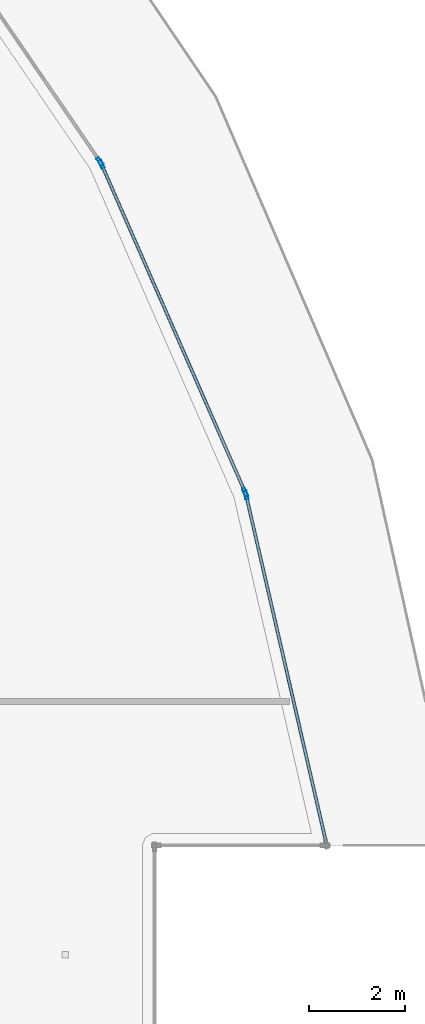
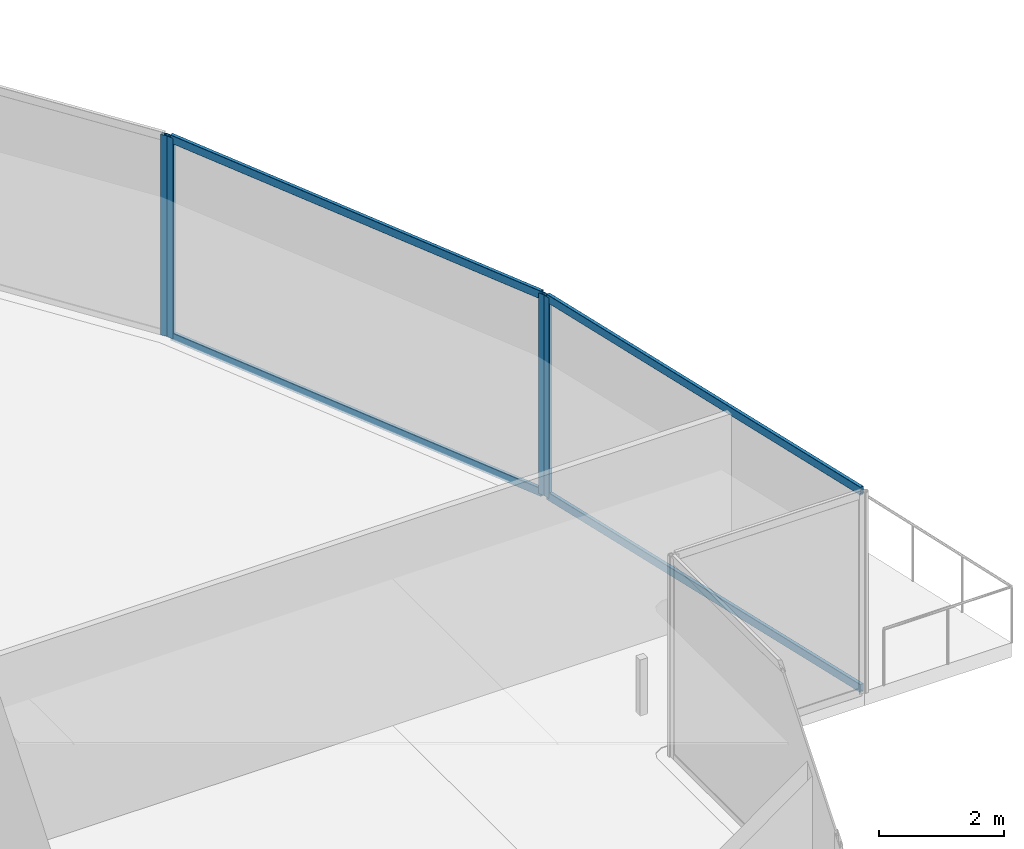
# One storey, part 25 of 45: 8 members, 3 elements without a shape of their own.
"""IFC4 building model written with IfcOpenShell, lengths in metres."""

from ifc_helpers import new_model, si_unit, direction, frame, origin, origin_2d, place, context, subcontext, project, spatial, hollow_rectangle, extrude, material, layer, layer_set, material_profile, profile_set, type_object, element, aggregate, save


model = new_model("IFC4")

# Units and contexts
model_context = context("Model", 3, precision=1e-05, world=origin(), true_north=direction((0.0, 1.0)))
body_context = subcontext(model_context, "Body", "Model", "MODEL_VIEW")
ifc_project = project(units=[si_unit("LENGTHUNIT", "METRE"), si_unit("AREAUNIT", "SQUARE_METRE"), si_unit("VOLUMEUNIT", "CUBIC_METRE"), si_unit("PLANEANGLEUNIT", "RADIAN"), si_unit("MASSUNIT", "GRAM", prefix="KILO")], contexts=[model_context])

# Site, building, storey
site_placement = place(None, origin())
site = spatial("IfcSite", under=ifc_project, at=site_placement, CompositionType="ELEMENT")
building_placement = place(site_placement, origin())
building = spatial("IfcBuilding", under=site, at=building_placement, Name="Qorvath Tower", CompositionType="ELEMENT")
storey_placement = place(building_placement, frame((0.0, 0.0, 49.199951171875)))
storey = spatial("IfcBuildingStorey", under=building, at=storey_placement, Name="L10", CompositionType="ELEMENT", Elevation=49.199951171875)

# Curtain wall, member
ifc_material_1 = material(Name="Anodised aluminium and triple low-E glass", Category="aluminium")
ifc_layer = layer(ifc_material_1, 0.179931640625)
ifc_layer_set = layer_set([ifc_layer], Name="CW-SYS-2")
curtain_wall_type = type_object("IfcCurtainWallType", Name="CW-SYS-2", PredefinedType="NOTDEFINED", material=ifc_layer_set)
curtain_wall_1_placement = place(storey_placement, origin())
curtain_wall_1 = element("IfcCurtainWall", 1, at=curtain_wall_1_placement, inside=storey, type_object=curtain_wall_type, Name="Curtain Wall CW-2 CW-T-L10-11.1", PredefinedType="NOTDEFINED")
ifc_material_2 = material(Name="Anodised aluminium 6063-T6", Category="aluminium")
ifc_material_profile_1 = material_profile(ifc_material_2, hollow_rectangle(XDim=0.06494140625, YDim=0.179931640625, WallThickness=0.00341796875, InnerFilletRadius=0.00341796875, OuterFilletRadius=0.007080078125, at=origin_2d()), Name="CWM 180x65")
ifc_profile_set_1 = profile_set([ifc_material_profile_1], Name="Anodised aluminium 6063-T6")
member_type_1 = type_object("IfcMemberType", Name="CWM-180", PredefinedType="MULLION", material=ifc_profile_set_1)
member_1_placement = place(storey_placement, frame((5.63818359375, 12.63037109375, 0.0), z_axis=(0.0, 0.0, 1.0), x_axis=(-0.974466004857, -0.224535087188, 0.0)))
member_1 = element("IfcMember", 2, at=member_1_placement, type_object=member_type_1, Name="CW-2 mullion 2", PredefinedType="MULLION", context=body_context, shape_type="SweptSolid", body=[
    extrude(hollow_rectangle(XDim=0.06494140625, YDim=0.179931640625, WallThickness=0.00341796875, InnerFilletRadius=0.00341796875, OuterFilletRadius=0.007080078125, at=origin_2d()), origin(), (0.0, 0.0, 1.0), 3.920166015625),
])

# Curtain wall, members
curtain_wall_2_placement = place(storey_placement, origin())
curtain_wall_2 = element("IfcCurtainWall", 3, at=curtain_wall_2_placement, inside=storey, type_object=curtain_wall_type, Name="Curtain Wall CW-2 CW-T-L10-12.1", PredefinedType="NOTDEFINED")
member_2_placement = place(storey_placement, frame((5.617919921875, 12.69189453125, 0.0), z_axis=(0.0, 0.0, 1.0), x_axis=(-0.916000523281, -0.401177069819, 0.0)))
member_2 = element("IfcMember", 4, at=member_2_placement, type_object=member_type_1, Name="CW-2 mullion 1", PredefinedType="MULLION", context=body_context, shape_type="SweptSolid", body=[
    extrude(hollow_rectangle(XDim=0.06494140625, YDim=0.179931640625, WallThickness=0.00341796875, InnerFilletRadius=0.00341796875, OuterFilletRadius=0.007080078125, at=origin_2d()), origin(), (0.0, 0.0, 1.0), 3.920166015625),
])
member_3_placement = place(storey_placement, frame((2.63623046875, 19.49951171875, 0.0), z_axis=(0.0, 0.0, 1.0), x_axis=(-0.916000523281, -0.401177069819, 0.0)))
member_3 = element("IfcMember", 5, at=member_3_placement, type_object=member_type_1, Name="CW-2 mullion 2", PredefinedType="MULLION", context=body_context, shape_type="SweptSolid", body=[
    extrude(hollow_rectangle(XDim=0.06494140625, YDim=0.179931640625, WallThickness=0.00341796875, InnerFilletRadius=0.00341796875, OuterFilletRadius=0.007080078125, at=origin_2d()), origin(), (0.0, 0.0, 1.0), 3.920166015625),
])

# Curtain wall, member
curtain_wall_3_placement = place(storey_placement, origin())
curtain_wall_3 = element("IfcCurtainWall", 6, at=curtain_wall_3_placement, inside=storey, type_object=curtain_wall_type, Name="Curtain Wall CW-2 CW-T-L10-13.1", PredefinedType="NOTDEFINED")
member_4_placement = place(storey_placement, frame((2.60498046875, 19.55615234375, 0.0), z_axis=(0.0, 0.0, 1.0), x_axis=(-0.825849008834, -0.563891314535, 0.0)))
member_4 = element("IfcMember", 7, at=member_4_placement, type_object=member_type_1, Name="CW-2 mullion 1", PredefinedType="MULLION", context=body_context, shape_type="SweptSolid", body=[
    extrude(hollow_rectangle(XDim=0.06494140625, YDim=0.179931640625, WallThickness=0.00341796875, InnerFilletRadius=0.00341796875, OuterFilletRadius=0.007080078125, at=origin_2d()), origin(), (0.0, 0.0, 1.0), 3.920166015625),
])
aggregate(curtain_wall_3, [member_4])

# Member
ifc_material_3 = material(Name="Anodised aluminium 6063-T6", Category="aluminium")
ifc_material_profile_2 = material_profile(ifc_material_3, hollow_rectangle(XDim=0.06494140625, YDim=0.159912109375, WallThickness=0.00341796875, InnerFilletRadius=0.00341796875, OuterFilletRadius=0.007080078125, at=origin_2d()), Name="CWT 160x65")
ifc_profile_set_2 = profile_set([ifc_material_profile_2], Name="Anodised aluminium 6063-T6")
member_type_2 = type_object("IfcMemberType", Name="CWT-160", PredefinedType="USERDEFINED", material=ifc_profile_set_2)
member_5_placement = place(storey_placement, frame((7.299560546875, 5.419921875, 0.032470703125), z_axis=(-0.224520650213, 0.974469331292, 0.0), x_axis=(-0.974469331292, -0.224520650213, 0.0)))
member_5 = element("IfcMember", 8, at=member_5_placement, type_object=member_type_2, Name="CW-2 transom 1.1", ObjectType="TRANSOM", PredefinedType="USERDEFINED", context=body_context, shape_type="SweptSolid", body=[
    extrude(hollow_rectangle(XDim=0.06494140625, YDim=0.159912109375, WallThickness=0.00341796875, InnerFilletRadius=0.00341796875, OuterFilletRadius=0.007080078125, at=origin_2d()), origin(), (0.0, 0.0, 1.0), 7.366943359375),
])

member_6_placement = place(storey_placement, frame((7.299560546875, 5.419921875, 3.8876953125), z_axis=(-0.224520650213, 0.974469331292, 0.0), x_axis=(-0.974469331292, -0.224520650213, 0.0)))
member_6 = element("IfcMember", 9, at=member_6_placement, type_object=member_type_2, Name="CW-2 transom 1.2", ObjectType="TRANSOM", PredefinedType="USERDEFINED", context=body_context, shape_type="SweptSolid", body=[
    extrude(hollow_rectangle(XDim=0.06494140625, YDim=0.159912109375, WallThickness=0.00341796875, InnerFilletRadius=0.00341796875, OuterFilletRadius=0.007080078125, at=origin_2d()), origin(), (0.0, 0.0, 1.0), 7.366943359375),
])

aggregate(curtain_wall_1, [member_1, member_5, member_6])

member_7_placement = place(storey_placement, frame((5.604736328125, 12.7216796875, 0.032470703125), z_axis=(-0.401166509416, 0.916005148306, 0.0), x_axis=(-0.916005148306, -0.401166509416, 0.0)))
member_7 = element("IfcMember", 10, at=member_7_placement, type_object=member_type_2, Name="CW-2 transom 1.1", ObjectType="TRANSOM", PredefinedType="USERDEFINED", context=body_context, shape_type="SweptSolid", body=[
    extrude(hollow_rectangle(XDim=0.06494140625, YDim=0.159912109375, WallThickness=0.00341796875, InnerFilletRadius=0.00341796875, OuterFilletRadius=0.007080078125, at=origin_2d()), origin(), (0.0, 0.0, 1.0), 7.366943359375),
])

member_8_placement = place(storey_placement, frame((5.604736328125, 12.7216796875, 3.8876953125), z_axis=(-0.401166509416, 0.916005148306, 0.0), x_axis=(-0.916005148306, -0.401166509416, 0.0)))
member_8 = element("IfcMember", 11, at=member_8_placement, type_object=member_type_2, Name="CW-2 transom 1.2", ObjectType="TRANSOM", PredefinedType="USERDEFINED", context=body_context, shape_type="SweptSolid", body=[
    extrude(hollow_rectangle(XDim=0.06494140625, YDim=0.159912109375, WallThickness=0.00341796875, InnerFilletRadius=0.00341796875, OuterFilletRadius=0.007080078125, at=origin_2d()), origin(), (0.0, 0.0, 1.0), 7.366943359375),
])

aggregate(curtain_wall_2, [member_2, member_3, member_7, member_8])

save(model, "model.ifc")
